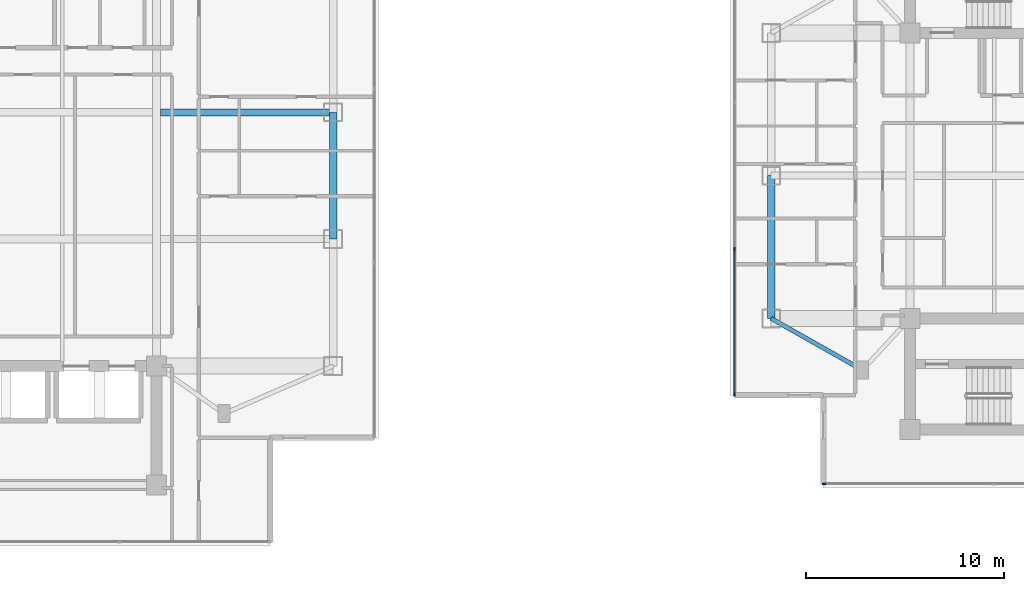
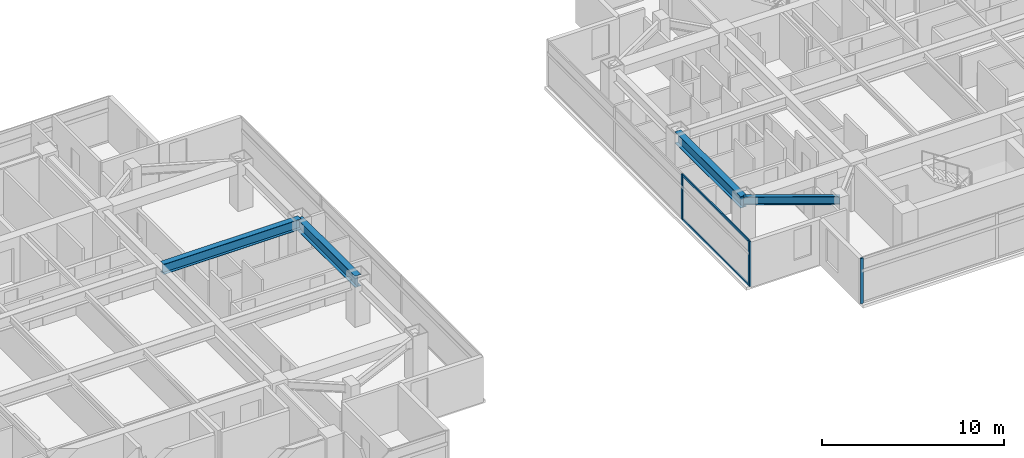
# One storey, part 5 of 24: 5 members, 4 beams, 2 elements without a shape of their own.
"""IFC4 building model written with IfcOpenShell, lengths in metres."""

from ifc_helpers import new_model, si_unit, direction, frame, origin, origin_2d, place, context, subcontext, project, spatial, rectangle, i_section, extrude, material, material_profile, profile_set, type_object, element, aggregate, save


model = new_model("IFC4")

# Units and contexts
model_context = context("Model", 3, precision=1e-05, world=origin(), true_north=direction((0.0, 1.0)))
body_context = subcontext(model_context, "Body", "Model", "MODEL_VIEW")
ifc_project = project(units=[si_unit("LENGTHUNIT", "METRE"), si_unit("AREAUNIT", "SQUARE_METRE"), si_unit("VOLUMEUNIT", "CUBIC_METRE"), si_unit("PLANEANGLEUNIT", "RADIAN"), si_unit("MASSUNIT", "GRAM", prefix="KILO")], contexts=[model_context])

# Site, building, storey
site_placement = place(None, origin())
site = spatial("IfcSite", under=ifc_project, at=site_placement, CompositionType="ELEMENT")
building_placement = place(site_placement, origin())
building = spatial("IfcBuilding", under=site, at=building_placement, Name="Mirazonda Arch Towers", CompositionType="ELEMENT")
storey_placement = place(building_placement, frame((0.0, 0.0, 164.14990234375)))
storey = spatial("IfcBuildingStorey", under=building, at=storey_placement, Name="L46", CompositionType="ELEMENT", Elevation=164.14990234375)

# Beams
ifc_material_1 = material(Name="Steel ASTM A992 Grade 50", Category="steel")
ifc_material_profile_1 = material_profile(ifc_material_1, i_section(OverallWidth=0.381103515625, OverallDepth=0.77294921875, WebThickness=0.0166015625, FlangeThickness=0.027099609375, at=origin_2d()), Name="W30X173")
ifc_profile_set_1 = profile_set([ifc_material_profile_1], Name="Steel ASTM A992 Grade 50")
beam_type_1 = type_object("IfcBeamType", Name="BM-EXT-W30X173", PredefinedType="USERDEFINED", material=ifc_profile_set_1)
beam_1_placement = place(storey_placement, frame((38.89990234375, 24.800048828125, 2.66357421875), z_axis=(0.0, 1.0, 0.0), x_axis=(-1.0, 0.0, 0.0)))
element("IfcBeam", 1, at=beam_1_placement, inside=storey, type_object=beam_type_1, Name="L46 Floor Beam BM-T1-L46-NS-E-24", ObjectType="GIRDER", PredefinedType="USERDEFINED", context=body_context, shape_type="SweptSolid", body=[
    extrude(i_section(OverallWidth=0.381103515625, OverallDepth=0.77294921875, WebThickness=0.0166015625, FlangeThickness=0.027099609375, at=origin_2d()), origin(), (0.0, 0.0, 1.0), 6.39990234375),
])
beam_2_placement = place(storey_placement, frame((61.0, 20.800048828125, 2.66357421875), z_axis=(0.0, 1.0, 0.0), x_axis=(-1.0, 0.0, 0.0)))
element("IfcBeam", 2, at=beam_2_placement, inside=storey, type_object=beam_type_1, Name="L46 Floor Beam BM-T2-L46-NS-W-20", ObjectType="GIRDER", PredefinedType="USERDEFINED", context=body_context, shape_type="SweptSolid", body=[
    extrude(i_section(OverallWidth=0.381103515625, OverallDepth=0.77294921875, WebThickness=0.0166015625, FlangeThickness=0.027099609375, at=origin_2d()), origin(), (0.0, 0.0, 1.0), 7.199951171875),
])
ifc_material_profile_2 = material_profile(ifc_material_1, i_section(OverallWidth=0.214111328125, OverallDepth=0.549072265625, WebThickness=0.0146484375, FlangeThickness=0.023681640625, at=origin_2d()), Name="W21X93")
ifc_profile_set_2 = profile_set([ifc_material_profile_2], Name="Steel ASTM A992 Grade 50")
beam_type_2 = type_object("IfcBeamType", Name="BM-INT-W21X93", PredefinedType="BEAM", material=ifc_profile_set_2)
beam_3_placement = place(storey_placement, frame((65.60009765625, 18.199951171875, 2.775634765625), z_axis=(-0.870559396632, 0.492063346467, 0.0), x_axis=(-0.492063346467, -0.870559396632, 0.0)))
element("IfcBeam", 3, at=beam_3_placement, inside=storey, type_object=beam_type_2, Name="L46 Floor Beam BM-T2-L46-PL-SW2", PredefinedType="BEAM", context=body_context, shape_type="SweptSolid", body=[
    extrude(i_section(OverallWidth=0.214111328125, OverallDepth=0.549072265625, WebThickness=0.0146484375, FlangeThickness=0.023681640625, at=origin_2d()), origin(), (0.0, 0.0, 1.0), 5.2841796875),
])
ifc_material_profile_3 = material_profile(ifc_material_1, i_section(OverallWidth=0.35498046875, OverallDepth=0.696044921875, WebThickness=0.015380859375, FlangeThickness=0.02490234375, at=origin_2d()), Name="W27X146")
ifc_profile_set_3 = profile_set([ifc_material_profile_3], Name="Steel ASTM A992 Grade 50")
beam_type_3 = type_object("IfcBeamType", Name="BM-INT-W27X146", PredefinedType="BEAM", material=ifc_profile_set_3)
beam_4_placement = place(storey_placement, frame((30.199951171875, 31.199951171875, 2.7021484375), z_axis=(1.0, 0.0, 0.0), x_axis=(0.0, 1.0, 0.0)))
element("IfcBeam", 4, at=beam_4_placement, inside=storey, type_object=beam_type_3, Name="L46 Floor Beam BM-T1-L46-GE3", PredefinedType="BEAM", context=body_context, shape_type="SweptSolid", body=[
    extrude(i_section(OverallWidth=0.35498046875, OverallDepth=0.696044921875, WebThickness=0.015380859375, FlangeThickness=0.02490234375, at=origin_2d()), origin(), (0.0, 0.0, 1.0), 8.699951171875),
])

# Curtain wall, member
ifc_material_2 = material(Name="Anodised Aluminium and Low-E Glass", Category="aluminium")
curtain_wall_type = type_object("IfcCurtainWallType", Name="CW-RES-UNIT", PredefinedType="NOTDEFINED", material=ifc_material_2)
curtain_wall_1_placement = place(storey_placement, origin())
curtain_wall_1 = element("IfcCurtainWall", 5, at=curtain_wall_1_placement, inside=storey, type_object=curtain_wall_type, Name="L46 T2 S Facade CW-L46-T2-S", PredefinedType="NOTDEFINED")
ifc_material_3 = material(Name="Anodised Aluminium Alloy", Category="aluminium")
ifc_material_profile_4 = material_profile(ifc_material_3, rectangle(XDim=0.074951171875, YDim=0.175048828125, at=origin_2d()), Name="ALU-MULL-75x175")
ifc_profile_set_4 = profile_set([ifc_material_profile_4], Name="Anodised Aluminium Alloy")
member_type_1 = type_object("IfcMemberType", Name="MULL-CW-RES-UNIT", PredefinedType="MULLION", material=ifc_profile_set_4)
member_1_placement = place(storey_placement, frame((63.65625, 12.45849609375, 0.0), z_axis=(0.0, 0.0, 1.0), x_axis=(0.0, -1.0, 0.0)))
member_1 = element("IfcMember", 6, at=member_1_placement, type_object=member_type_1, Name="CW-104 mullion 4", PredefinedType="MULLION", context=body_context, shape_type="SweptSolid", body=[
    extrude(rectangle(XDim=0.074951171875, YDim=0.175048828125, at=origin_2d()), origin(), (0.0, 0.0, 1.0), 3.030029296875),
])
aggregate(curtain_wall_1, [member_1])

# Curtain wall, members
curtain_wall_2_placement = place(storey_placement, origin())
curtain_wall_2 = element("IfcCurtainWall", 7, at=curtain_wall_2_placement, inside=storey, type_object=curtain_wall_type, Name="L46 T2 W Facade CW-L46-T2-W", PredefinedType="NOTDEFINED")
member_2_placement = place(storey_placement, frame((59.153564453125, 24.307861328125, 0.0), z_axis=(0.0, 0.0, 1.0), x_axis=(1.0, 0.0, 0.0)))
member_2 = element("IfcMember", 8, at=member_2_placement, type_object=member_type_1, Name="CW-104 mullion 3", PredefinedType="MULLION", context=body_context, shape_type="SweptSolid", body=[
    extrude(rectangle(XDim=0.074951171875, YDim=0.175048828125, at=origin_2d()), origin(), (0.0, 0.0, 1.0), 3.030029296875),
])
member_3_placement = place(storey_placement, frame((59.153564453125, 16.961181640625, 0.0), z_axis=(0.0, 0.0, 1.0), x_axis=(1.0, 0.0, 0.0)))
member_3 = element("IfcMember", 9, at=member_3_placement, type_object=member_type_1, Name="CW-104 mullion 4", PredefinedType="MULLION", context=body_context, shape_type="SweptSolid", body=[
    extrude(rectangle(XDim=0.074951171875, YDim=0.175048828125, at=origin_2d()), origin(), (0.0, 0.0, 1.0), 3.030029296875),
])
ifc_material_profile_5 = material_profile(ifc_material_3, rectangle(XDim=0.074951171875, YDim=0.155029296875, at=origin_2d()), Name="ALU-TRAN-75x155")
ifc_profile_set_5 = profile_set([ifc_material_profile_5], Name="Anodised Aluminium Alloy")
member_type_2 = type_object("IfcMemberType", Name="TRAN-CW-RES-UNIT", PredefinedType="USERDEFINED", material=ifc_profile_set_5)
member_4_placement = place(storey_placement, frame((59.153564453125, 24.2705078125, 0.03759765625), z_axis=(0.0, -1.0, 0.0), x_axis=(1.0, 0.0, 0.0)))
member_4 = element("IfcMember", 10, at=member_4_placement, type_object=member_type_2, Name="CW-104 transom 3.1", ObjectType="TRANSOM", PredefinedType="USERDEFINED", context=body_context, shape_type="SweptSolid", body=[
    extrude(rectangle(XDim=0.074951171875, YDim=0.155029296875, at=origin_2d()), origin(), (0.0, 0.0, 1.0), 7.271728515625),
])
member_5_placement = place(storey_placement, frame((59.153564453125, 24.2705078125, 2.99267578125), z_axis=(0.0, -1.0, 0.0), x_axis=(1.0, 0.0, 0.0)))
member_5 = element("IfcMember", 11, at=member_5_placement, type_object=member_type_2, Name="CW-104 transom 3.2", ObjectType="TRANSOM", PredefinedType="USERDEFINED", context=body_context, shape_type="SweptSolid", body=[
    extrude(rectangle(XDim=0.074951171875, YDim=0.155029296875, at=origin_2d()), origin(), (0.0, 0.0, 1.0), 7.271728515625),
])
aggregate(curtain_wall_2, [member_2, member_3, member_4, member_5])

save(model, "model.ifc")
